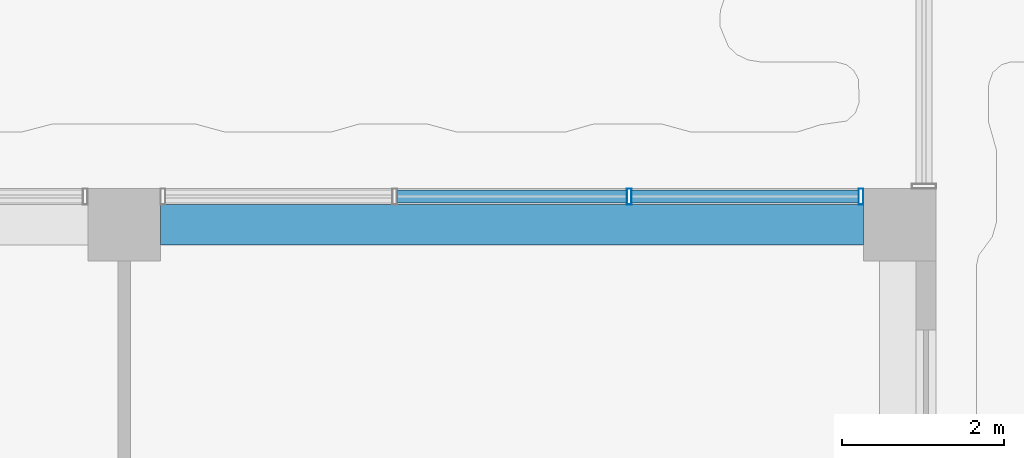
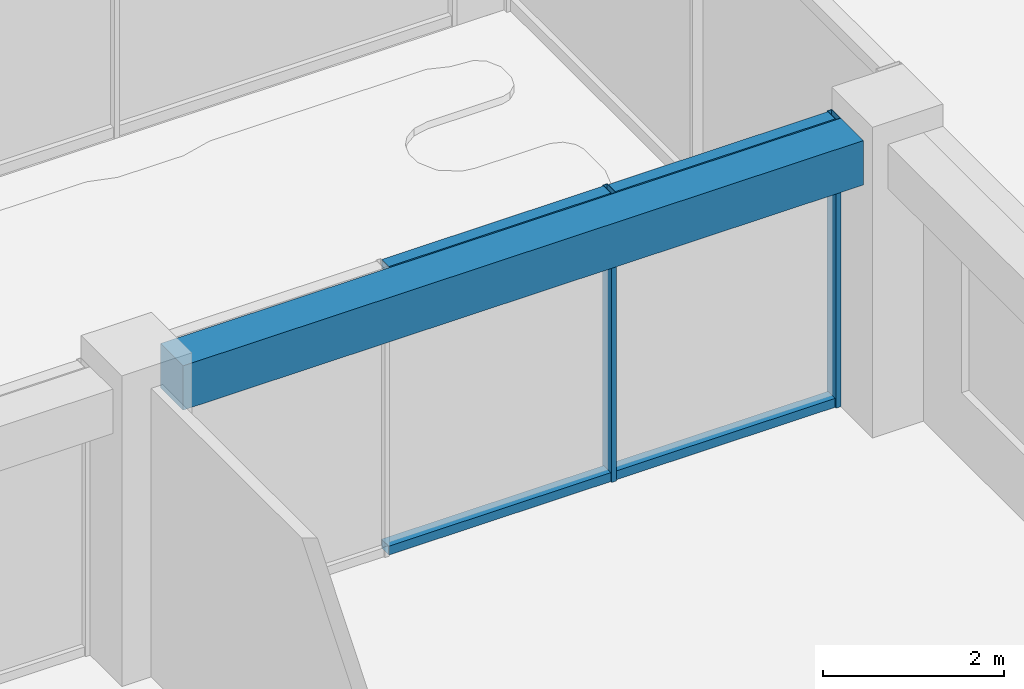
# One storey, part 17 of 72: 6 members, 1 beam, 1 element without a shape of its own.
"""IFC4 building model written with IfcOpenShell, lengths in metres."""

from ifc_helpers import new_model, si_unit, direction, frame, origin, origin_2d, place, context, subcontext, project, spatial, rectangle, hollow_rectangle, extrude, material, layer, layer_set, material_profile, profile_set, type_object, element, aggregate, save


model = new_model("IFC4")

# Units and contexts
model_context = context("Model", 3, precision=1e-05, world=origin(), true_north=direction((0.0, 1.0)))
body_context = subcontext(model_context, "Body", "Model", "MODEL_VIEW")
ifc_project = project(units=[si_unit("LENGTHUNIT", "METRE"), si_unit("AREAUNIT", "SQUARE_METRE"), si_unit("VOLUMEUNIT", "CUBIC_METRE"), si_unit("PLANEANGLEUNIT", "RADIAN"), si_unit("MASSUNIT", "GRAM", prefix="KILO")], contexts=[model_context])

# Site, building, storey
site_placement = place(None, origin())
site = spatial("IfcSite", under=ifc_project, at=site_placement, CompositionType="ELEMENT")
building_placement = place(site_placement, origin())
building = spatial("IfcBuilding", under=site, at=building_placement, Name="Nzadi Deep Aquarium and Research Tower", CompositionType="ELEMENT")
storey_placement = place(building_placement, frame((0.0, 0.0, 31.89990234375)))
storey = spatial("IfcBuildingStorey", under=building, at=storey_placement, Name="L05", CompositionType="ELEMENT", Elevation=31.89990234375)

# Curtain wall, members
ifc_material_1 = material(Name="Aluminium unitised frame", Category="aluminium")
ifc_layer = layer(ifc_material_1, 0.199951171875)
ifc_layer_set = layer_set([ifc_layer], Name="Aluminium unitised frame")
curtain_wall_type = type_object("IfcCurtainWallType", Name="Curtain wall Unitised 200", PredefinedType="NOTDEFINED", material=ifc_layer_set)
curtain_wall_placement = place(storey_placement, origin())
curtain_wall = element("IfcCurtainWall", 1, at=curtain_wall_placement, inside=storey, type_object=curtain_wall_type, Name="Unitised curtain wall blade A north L05", PredefinedType="NOTDEFINED")
ifc_material_2 = material(Name="Aluminium unitised frame", Category="aluminium")
ifc_material_profile_1 = material_profile(ifc_material_2, hollow_rectangle(XDim=0.199951171875, YDim=0.06005859375, WallThickness=0.0048828125, at=origin_2d()))
ifc_profile_set_1 = profile_set([ifc_material_profile_1], Name="Aluminium unitised frame")
member_type_1 = type_object("IfcMemberType", Name="Mullion 60x200 Unitised", PredefinedType="MULLION", material=ifc_profile_set_1)
member_1_placement = place(storey_placement, frame((44.64990234375, 18.75, 0.0), z_axis=(0.0, 0.0, 1.0), x_axis=(0.0, 1.0, 0.0)))
member_1 = element("IfcMember", 2, at=member_1_placement, type_object=member_type_1, Name="CW007 mullion 3", PredefinedType="MULLION", context=body_context, shape_type="SweptSolid", body=[
    extrude(hollow_rectangle(XDim=0.199951171875, YDim=0.06005859375, WallThickness=0.0048828125, at=origin_2d()), origin(), (0.0, 0.0, 1.0), 3.900146484375),
])
member_2_placement = place(storey_placement, frame((47.52001953125, 18.75, 0.0), z_axis=(0.0, 0.0, 1.0), x_axis=(0.0, 1.0, 0.0)))
member_2 = element("IfcMember", 3, at=member_2_placement, type_object=member_type_1, Name="CW007 mullion 4", PredefinedType="MULLION", context=body_context, shape_type="SweptSolid", body=[
    extrude(hollow_rectangle(XDim=0.199951171875, YDim=0.06005859375, WallThickness=0.0048828125, at=origin_2d()), origin(), (0.0, 0.0, 1.0), 3.900146484375),
])

# Beam
ifc_material_3 = material(Name="Concrete C35/45", Category="concrete")
ifc_material_profile_2 = material_profile(ifc_material_3, rectangle(XDim=0.5, YDim=0.60009765625, at=origin_2d()))
ifc_profile_set_2 = profile_set([ifc_material_profile_2], Name="Concrete C35/45")
beam_type = type_object("IfcBeamType", Name="RC 500x600", PredefinedType="BEAM", material=ifc_profile_set_2)
beam_placement = place(storey_placement, frame((38.85009765625, 18.39990234375, 3.60009765625), z_axis=(1.0, 0.0, 0.0), x_axis=(0.0, 1.0, 0.0)))
element("IfcBeam", 4, at=beam_placement, inside=storey, type_object=beam_type, Name="B-Z1-L05-L3-5", PredefinedType="BEAM", context=body_context, shape_type="SweptSolid", body=[
    extrude(rectangle(XDim=0.5, YDim=0.60009765625, at=origin_2d()), origin(), (0.0, 0.0, 1.0), 8.699951171875),
])

# Member
ifc_material_4 = material(Name="Aluminium unitised frame", Category="aluminium")
ifc_material_profile_3 = material_profile(ifc_material_4, hollow_rectangle(XDim=0.159912109375, YDim=0.1201171875, WallThickness=0.0048828125, at=origin_2d()))
ifc_profile_set_3 = profile_set([ifc_material_profile_3], Name="Aluminium unitised frame")
member_type_2 = type_object("IfcMemberType", Name="Transom 120x160 Unitised", PredefinedType="MULLION", material=ifc_profile_set_3)
member_3_placement = place(storey_placement, frame((41.780029296875, 18.75, 0.06005859375), z_axis=(1.0, 0.0, 0.0), x_axis=(0.0, 1.0, 0.0)))
member_3 = element("IfcMember", 5, at=member_3_placement, type_object=member_type_2, Name="CW007 transom 2.1", PredefinedType="MULLION", context=body_context, shape_type="SweptSolid", body=[
    extrude(hollow_rectangle(XDim=0.159912109375, YDim=0.1201171875, WallThickness=0.0048828125, at=origin_2d()), origin(), (0.0, 0.0, 1.0), 2.840087890625),
])

member_4_placement = place(storey_placement, frame((41.780029296875, 18.75, 3.840087890625), z_axis=(1.0, 0.0, 0.0), x_axis=(0.0, 1.0, 0.0)))
member_4 = element("IfcMember", 6, at=member_4_placement, type_object=member_type_2, Name="CW007 transom 2.2", PredefinedType="MULLION", context=body_context, shape_type="SweptSolid", body=[
    extrude(hollow_rectangle(XDim=0.159912109375, YDim=0.1201171875, WallThickness=0.0048828125, at=origin_2d()), origin(), (0.0, 0.0, 1.0), 2.840087890625),
])

member_5_placement = place(storey_placement, frame((44.679931640625, 18.75, 0.06005859375), z_axis=(1.0, 0.0, 0.0), x_axis=(0.0, 1.0, 0.0)))
member_5 = element("IfcMember", 7, at=member_5_placement, type_object=member_type_2, Name="CW007 transom 3.1", PredefinedType="MULLION", context=body_context, shape_type="SweptSolid", body=[
    extrude(hollow_rectangle(XDim=0.159912109375, YDim=0.1201171875, WallThickness=0.0048828125, at=origin_2d()), origin(), (0.0, 0.0, 1.0), 2.81005859375),
])

member_6_placement = place(storey_placement, frame((44.679931640625, 18.75, 3.840087890625), z_axis=(1.0, 0.0, 0.0), x_axis=(0.0, 1.0, 0.0)))
member_6 = element("IfcMember", 8, at=member_6_placement, type_object=member_type_2, Name="CW007 transom 3.2", PredefinedType="MULLION", context=body_context, shape_type="SweptSolid", body=[
    extrude(hollow_rectangle(XDim=0.159912109375, YDim=0.1201171875, WallThickness=0.0048828125, at=origin_2d()), origin(), (0.0, 0.0, 1.0), 2.81005859375),
])

aggregate(curtain_wall, [member_1, member_2, member_3, member_4, member_5, member_6])

save(model, "model.ifc")
